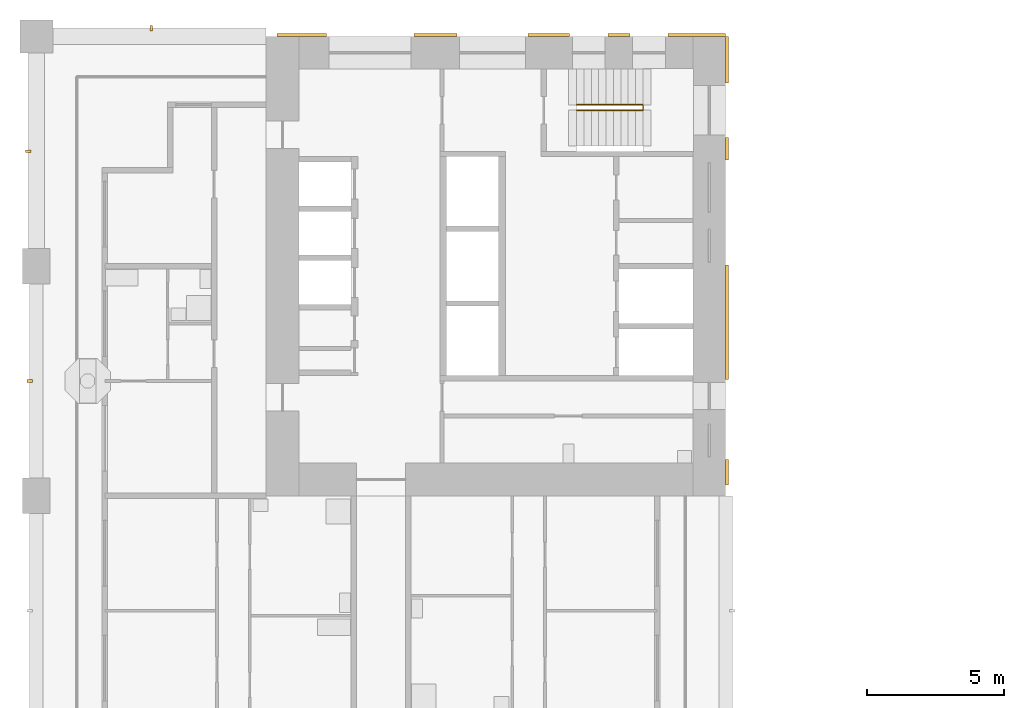
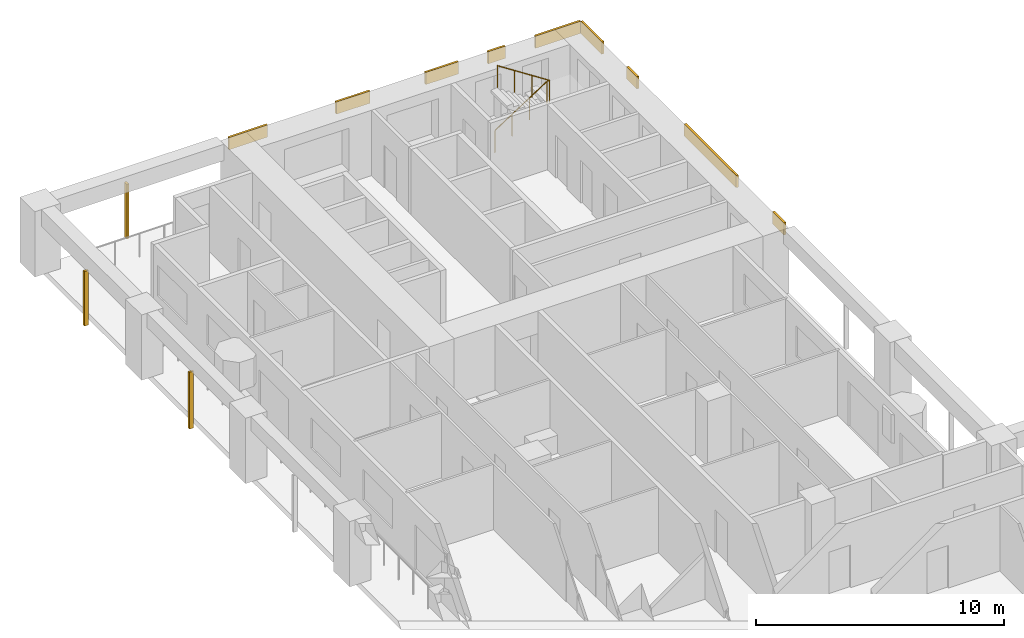
# One storey, part 14 of 18: 12 shading devices, 1 railing.
"""IFC4 building model written with IfcOpenShell, lengths in metres."""

from ifc_helpers import new_model, si_unit, direction, frame, origin, origin_2d, place, context, subcontext, project, spatial, rectangle, circle, extrude, material, layer, layer_set, material_profile, profile_set, type_object, element, save


model = new_model("IFC4")

# Units and contexts
model_context = context("Model", 3, precision=1e-05, world=origin(), true_north=direction((0.0, 1.0)))
body_context = subcontext(model_context, "Body", "Model", "MODEL_VIEW")
ifc_project = project(units=[si_unit("LENGTHUNIT", "METRE"), si_unit("AREAUNIT", "SQUARE_METRE"), si_unit("VOLUMEUNIT", "CUBIC_METRE"), si_unit("PLANEANGLEUNIT", "RADIAN"), si_unit("MASSUNIT", "GRAM", prefix="KILO")], contexts=[model_context])

# Site, building, storey
site_placement = place(None, origin())
site = spatial("IfcSite", under=ifc_project, at=site_placement, CompositionType="ELEMENT")
building_placement = place(site_placement, origin())
building = spatial("IfcBuilding", under=site, at=building_placement, Name="Vermilion Gate Residences", CompositionType="ELEMENT")
storey_placement = place(building_placement, frame((0.0, 0.0, 109.199951171875)))
storey = spatial("IfcBuildingStorey", under=building, at=storey_placement, Name="L27", CompositionType="ELEMENT", Elevation=109.199951171875)

# Railing
ifc_material_1 = material(Name="Steel S355", Category="steel")
railing_type = type_object("IfcRailingType", Name="STAIR GUARD 1100 STEEL", PredefinedType="GUARDRAIL", material=ifc_material_1)
railing_placement = place(storey_placement, frame((19.75, 56.300048828125, 0.175048828125)))
element("IfcRailing", 1, at=railing_placement, inside=storey, type_object=railing_type, Name="Stair well guard STB1-27", PredefinedType="GUARDRAIL", context=body_context, shape_type="SweptSolid", body=[
    extrude(circle(Radius=0.02392578125, at=origin_2d()), frame((0.0, 0.0, 1.076171875), z_axis=(0.839153699163, 0.0, 0.543894354798), x_axis=(0.0, 1.0, 0.0)), (0.0, 0.0, 1.0), 2.895751953125),
    extrude(circle(Radius=0.02392578125, at=origin_2d()), frame((2.429931640625, 0.0, 2.65087890625), z_axis=(0.0, -0.752405939678, 0.658699705433), x_axis=(1.0, 0.0, 0.0)), (0.0, 0.0, 1.0), 0.265869140625),
    extrude(circle(Radius=0.02392578125, at=origin_2d()), frame((2.429931640625, -0.199951171875, 2.826171875), z_axis=(-0.839153699163, 0.0, 0.543894354798), x_axis=(0.0, -1.0, 0.0)), (0.0, 0.0, 1.0), 2.895751953125),
    extrude(circle(Radius=0.02099609375, at=origin_2d()), origin(), (0.0, 0.0, 1.0), 1.052001953125),
    extrude(circle(Radius=0.02099609375, at=origin_2d()), frame((0.81005859375, 0.0, 0.52490234375)), (0.0, 0.0, 1.0), 1.052001953125),
    extrude(circle(Radius=0.02099609375, at=origin_2d()), frame((1.619873046875, 0.0, 1.050048828125)), (0.0, 0.0, 1.0), 1.052001953125),
    extrude(circle(Radius=0.02099609375, at=origin_2d()), frame((2.429931640625, 0.0, 1.574951171875)), (0.0, 0.0, 1.0), 1.052001953125),
    extrude(circle(Radius=0.02099609375, at=origin_2d()), frame((2.429931640625, -0.199951171875, 1.75)), (0.0, 0.0, 1.0), 1.052001953125),
    extrude(circle(Radius=0.02099609375, at=origin_2d()), frame((1.619873046875, -0.199951171875, 2.27490234375)), (0.0, 0.0, 1.0), 1.052001953125),
    extrude(circle(Radius=0.02099609375, at=origin_2d()), frame((0.81005859375, -0.199951171875, 2.800048828125)), (0.0, 0.0, 1.0), 1.052001953125),
    extrude(circle(Radius=0.02099609375, at=origin_2d()), frame((0.0, -0.199951171875, 3.324951171875)), (0.0, 0.0, 1.0), 1.052001953125),
])

# Shading devices
ifc_material_2 = material(Name="Extruded terracotta", Category="masonry")
ifc_material_profile = material_profile(ifc_material_2, rectangle(XDim=0.199951171875, YDim=0.10009765625, at=origin_2d()), Name="BAGUETTE 100 X 200")
ifc_profile_set = profile_set([ifc_material_profile], Name="Extruded terracotta")
shading_device_type_1 = type_object("IfcShadingDeviceType", Name="TERRACOTTA BAGUETTE 100 X 200", PredefinedType="JALOUSIE", material=ifc_profile_set)
shading_device_1_placement = place(storey_placement, frame((4.199951171875, 59.10009765625, -0.280029296875), z_axis=(0.0, 0.0, 1.0), x_axis=(0.0, -1.0, 0.0)))
element("IfcShadingDevice", 2, at=shading_device_1_placement, inside=storey, type_object=shading_device_type_1, Name="BAGUETTE", PredefinedType="JALOUSIE", context=body_context, shape_type="SweptSolid", body=[
    extrude(rectangle(XDim=0.199951171875, YDim=0.10009765625, at=origin_2d()), origin(), (0.0, 0.0, 1.0), 2.7001953125),
])
shading_device_2_placement = place(storey_placement, frame((-0.25, 46.199951171875, -0.280029296875), z_axis=(0.0, 0.0, 1.0), x_axis=(1.0, 0.0, 0.0)))
element("IfcShadingDevice", 3, at=shading_device_2_placement, inside=storey, type_object=shading_device_type_1, Name="BAGUETTE", PredefinedType="JALOUSIE", context=body_context, shape_type="SweptSolid", body=[
    extrude(rectangle(XDim=0.199951171875, YDim=0.10009765625, at=origin_2d()), origin(), (0.0, 0.0, 1.0), 2.800048828125),
])
shading_device_3_placement = place(storey_placement, frame((-0.300048828125, 54.60009765625, -0.280029296875), z_axis=(0.0, 0.0, 1.0), x_axis=(1.0, 0.0, 0.0)))
element("IfcShadingDevice", 4, at=shading_device_3_placement, inside=storey, type_object=shading_device_type_1, Name="BAGUETTE", PredefinedType="JALOUSIE", context=body_context, shape_type="SweptSolid", body=[
    extrude(rectangle(XDim=0.199951171875, YDim=0.10009765625, at=origin_2d()), origin(), (0.0, 0.0, 1.0), 2.7001953125),
])
ifc_material_3 = material(Name="Extruded terracotta", Category="masonry")
ifc_layer = layer(ifc_material_3, 0.10009765625)
ifc_layer_set = layer_set([ifc_layer], Name="TERRACOTTA SPANDREL BAND 600 X 100")
shading_device_type_2 = type_object("IfcShadingDeviceType", Name="TERRACOTTA SPANDREL BAND 600 X 100", PredefinedType="USERDEFINED", material=ifc_layer_set)
shading_device_4_placement = place(storey_placement, frame((9.702392578125, 58.85009765625, 2.6201171875), z_axis=(0.0, 0.0, 1.0), x_axis=(1.0, 0.0, 0.0)))
element("IfcShadingDevice", 5, at=shading_device_4_placement, inside=storey, type_object=shading_device_type_2, Name="SPANDREL BAND", ObjectType="BAND", PredefinedType="USERDEFINED", context=body_context, shape_type="SweptSolid", body=[
    extrude(rectangle(XDim=1.804931640625, YDim=0.10009765625, at=origin_2d()), origin(), (0.0, 0.0, 1.0), 0.60009765625),
])
shading_device_5_placement = place(storey_placement, frame((14.590087890625, 58.85009765625, 2.6201171875), z_axis=(0.0, 0.0, 1.0), x_axis=(1.0, 0.0, 0.0)))
element("IfcShadingDevice", 6, at=shading_device_5_placement, inside=storey, type_object=shading_device_type_2, Name="SPANDREL BAND", ObjectType="BAND", PredefinedType="USERDEFINED", context=body_context, shape_type="SweptSolid", body=[
    extrude(rectangle(XDim=1.570068359375, YDim=0.10009765625, at=origin_2d()), origin(), (0.0, 0.0, 1.0), 0.60009765625),
])
shading_device_6_placement = place(storey_placement, frame((18.734130859375, 58.85009765625, 2.6201171875), z_axis=(0.0, 0.0, 1.0), x_axis=(1.0, 0.0, 0.0)))
element("IfcShadingDevice", 7, at=shading_device_6_placement, inside=storey, type_object=shading_device_type_2, Name="SPANDREL BAND", ObjectType="BAND", PredefinedType="USERDEFINED", context=body_context, shape_type="SweptSolid", body=[
    extrude(rectangle(XDim=1.518310546875, YDim=0.10009765625, at=origin_2d()), origin(), (0.0, 0.0, 1.0), 0.60009765625),
])
shading_device_7_placement = place(storey_placement, frame((21.294921875, 58.85009765625, 2.6201171875), z_axis=(0.0, 0.0, 1.0), x_axis=(1.0, 0.0, 0.0)))
element("IfcShadingDevice", 8, at=shading_device_7_placement, inside=storey, type_object=shading_device_type_2, Name="SPANDREL BAND", ObjectType="BAND", PredefinedType="USERDEFINED", context=body_context, shape_type="SweptSolid", body=[
    extrude(rectangle(XDim=0.803466796875, YDim=0.10009765625, at=origin_2d()), origin(), (0.0, 0.0, 1.0), 0.60009765625),
])
shading_device_8_placement = place(storey_placement, frame((24.1484375, 58.85009765625, 2.6201171875), z_axis=(0.0, 0.0, 1.0), x_axis=(1.0, 0.0, 0.0)))
element("IfcShadingDevice", 9, at=shading_device_8_placement, inside=storey, type_object=shading_device_type_2, Name="SPANDREL BAND", ObjectType="BAND", PredefinedType="USERDEFINED", context=body_context, shape_type="SweptSolid", body=[
    extrude(rectangle(XDim=2.103271484375, YDim=0.10009765625, at=origin_2d()), origin(), (0.0, 0.0, 1.0), 0.60009765625),
])
shading_device_9_placement = place(storey_placement, frame((25.25, 42.862548828125, 2.6201171875), z_axis=(0.0, 0.0, 1.0), x_axis=(0.0, 1.0, 0.0)))
element("IfcShadingDevice", 10, at=shading_device_9_placement, inside=storey, type_object=shading_device_type_2, Name="SPANDREL BAND", ObjectType="BAND", PredefinedType="USERDEFINED", context=body_context, shape_type="SweptSolid", body=[
    extrude(rectangle(XDim=0.925048828125, YDim=0.10009765625, at=origin_2d()), origin(), (0.0, 0.0, 1.0), 0.60009765625),
])
shading_device_10_placement = place(storey_placement, frame((25.25, 48.35009765625, 2.6201171875), z_axis=(0.0, 0.0, 1.0), x_axis=(0.0, 1.0, 0.0)))
element("IfcShadingDevice", 11, at=shading_device_10_placement, inside=storey, type_object=shading_device_type_2, Name="SPANDREL BAND", ObjectType="BAND", PredefinedType="USERDEFINED", context=body_context, shape_type="SweptSolid", body=[
    extrude(rectangle(XDim=4.199951171875, YDim=0.10009765625, at=origin_2d()), origin(), (0.0, 0.0, 1.0), 0.60009765625),
])
shading_device_11_placement = place(storey_placement, frame((25.25, 54.6875, 2.6201171875), z_axis=(0.0, 0.0, 1.0), x_axis=(0.0, 1.0, 0.0)))
element("IfcShadingDevice", 12, at=shading_device_11_placement, inside=storey, type_object=shading_device_type_2, Name="SPANDREL BAND", ObjectType="BAND", PredefinedType="USERDEFINED", context=body_context, shape_type="SweptSolid", body=[
    extrude(rectangle(XDim=0.824951171875, YDim=0.10009765625, at=origin_2d()), origin(), (0.0, 0.0, 1.0), 0.60009765625),
])
shading_device_12_placement = place(storey_placement, frame((25.25, 57.949951171875, 2.6201171875), z_axis=(0.0, 0.0, 1.0), x_axis=(0.0, 1.0, 0.0)))
element("IfcShadingDevice", 13, at=shading_device_12_placement, inside=storey, type_object=shading_device_type_2, Name="SPANDREL BAND", ObjectType="BAND", PredefinedType="USERDEFINED", context=body_context, shape_type="SweptSolid", body=[
    extrude(rectangle(XDim=1.699951171875, YDim=0.10009765625, at=origin_2d()), origin(), (0.0, 0.0, 1.0), 0.60009765625),
])

save(model, "model.ifc")
